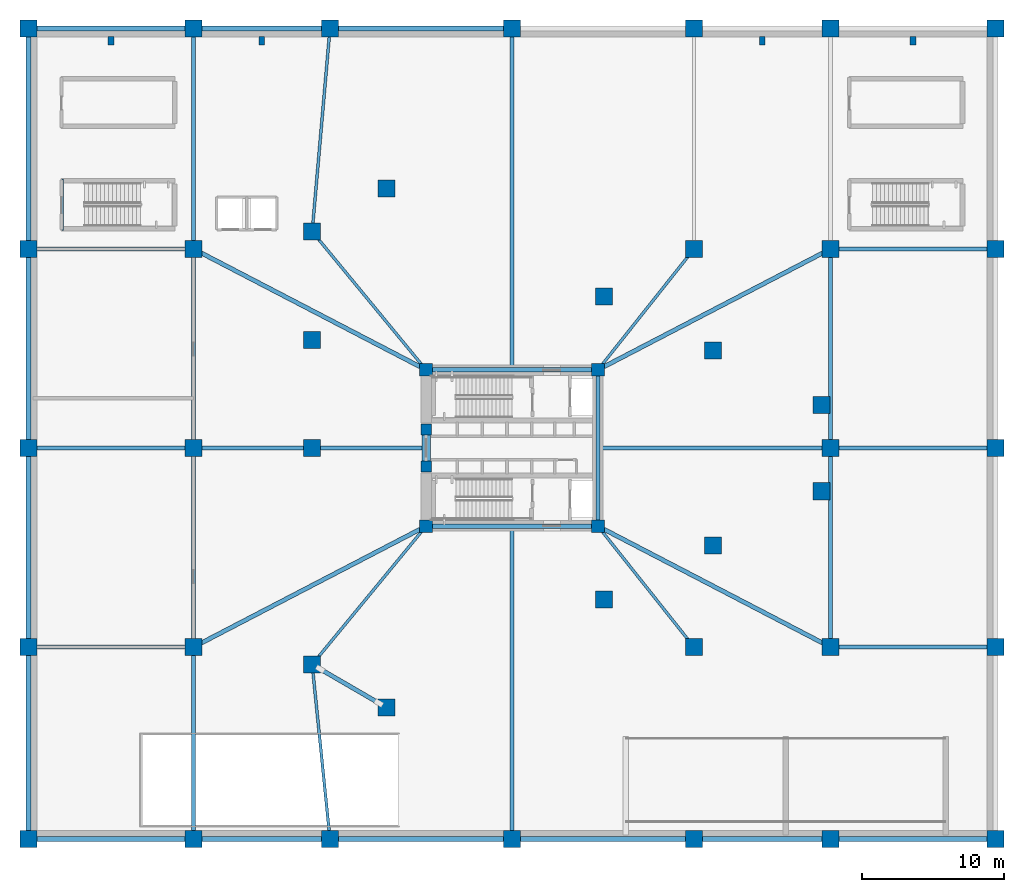
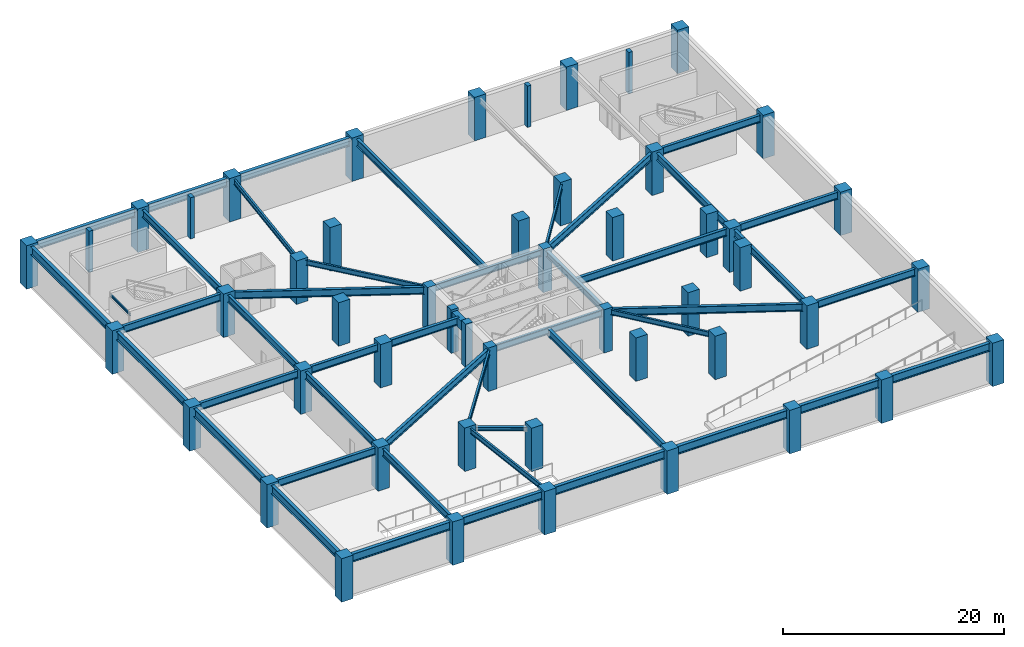
# One storey, part 1 of 13: 50 columns, 44 beams, 1 member.
"""IFC4 building model written with IfcOpenShell, lengths in metres."""

import ifcopenshell
import ifcopenshell.guid

model = None  # the IFC model being written
_history = None  # IfcOwnerHistory: only IFC2X3 demands one
_inside = {}  # id of a spatial element -> (the spatial element, [elements in it])
_under = {}  # id of a project, library or spatial element -> (it, [spatial elements below it])
_declared = {}  # id of a project -> (the project, [libraries it declares])
_typed = {}  # id of a type object -> (the type object, [elements of that type])
_made_of = {}  # id of a material, layer set ... -> (it, [elements and type objects made of it])


def new_model(schema):
    """Start an empty IFC model of exactly this schema.

    Asked for "IFC4X3", IfcOpenShell would pick the latest addendum, in which some entities
    have other attributes; the version numbers below select the first issue.
    IFC2X3 requires an IfcOwnerHistory on every rooted entity: one is made here for all.
    """
    global model, _history
    if schema == "IFC4X3":
        model = ifcopenshell.file(schema_version=(4, 3, 0, 0))
    else:
        model = ifcopenshell.file(schema=schema)
    _inside.clear()
    _under.clear()
    _declared.clear()
    _typed.clear()
    _made_of.clear()
    _history = None
    if model.schema == "IFC2X3":
        org = make("IfcOrganization", Name="unknown")
        user = make(
            "IfcPersonAndOrganization",
            ThePerson=make("IfcPerson", FamilyName="unknown"),
            TheOrganization=org,
        )
        app = make(
            "IfcApplication",
            ApplicationDeveloper=org,
            Version="unknown",
            ApplicationFullName="unknown",
            ApplicationIdentifier="unknown",
        )
        _history = make(
            "IfcOwnerHistory",
            OwningUser=user,
            OwningApplication=app,
            ChangeAction="ADDED",
            CreationDate=0,
        )
    return model


def make(cls, **values):
    """One entity of the class cls with the attributes given. An attribute that is None is left unset."""
    return model.create_entity(
        cls, **{name: value for name, value in values.items() if value is not None}
    )


def rooted(cls, **values):
    """An entity with a GlobalId (a new one), such as an element, a storey or a relation."""
    return make(cls, GlobalId=ifcopenshell.guid.new(), OwnerHistory=_history, **values)


def si_unit(unit_type, name, prefix=None):
    """IfcSIUnit, for example si_unit("LENGTHUNIT", "METRE", prefix="MILLI")."""
    return make("IfcSIUnit", UnitType=unit_type, Prefix=prefix, Name=name)


def assignment(units):
    """IfcUnitAssignment: the units of a project."""
    return None if units is None else make("IfcUnitAssignment", Units=units)


def point(xyz):
    """IfcCartesianPoint."""
    return None if xyz is None else make("IfcCartesianPoint", Coordinates=xyz)


def direction(xyz):
    """IfcDirection."""
    return None if xyz is None else make("IfcDirection", DirectionRatios=xyz)


def frame(location, z_axis=None, x_axis=None):
    """IfcAxis2Placement3D, a coordinate frame: its origin and axes. An axis left out is left unset."""
    return make(
        "IfcAxis2Placement3D",
        Location=point(location),
        Axis=direction(z_axis),
        RefDirection=direction(x_axis),
    )


def frame_2d(location, x_axis=None):
    """IfcAxis2Placement2D, a coordinate frame in the plane: its origin and x axis."""
    return make(
        "IfcAxis2Placement2D", Location=point(location), RefDirection=direction(x_axis)
    )


def origin():
    """The frame at (0, 0, 0) with its axes left unset."""
    return frame((0.0, 0.0, 0.0))


def origin_2d():
    """The frame at (0, 0) in the plane with its x axis left unset."""
    return frame_2d((0.0, 0.0))


def place(relative_to, where):
    """IfcLocalPlacement: puts the frame where relative to a parent placement (None: the world)."""
    return make(
        "IfcLocalPlacement", PlacementRelTo=relative_to, RelativePlacement=where
    )


def context(
    kind, dimensions, precision=None, world=None, true_north=None, identifier=None
):
    """IfcGeometricRepresentationContext, for example the 3D "Model" context."""
    return make(
        "IfcGeometricRepresentationContext",
        ContextIdentifier=identifier,
        ContextType=kind,
        CoordinateSpaceDimension=dimensions,
        Precision=precision,
        WorldCoordinateSystem=world,
        TrueNorth=true_north,
    )


def subcontext(parent, identifier, kind, view, scale=None):
    """IfcGeometricRepresentationSubContext, for example "Body" below "Model"."""
    return make(
        "IfcGeometricRepresentationSubContext",
        ContextIdentifier=identifier,
        ContextType=kind,
        ParentContext=parent,
        TargetScale=scale,
        TargetView=view,
    )


def project(units=None, contexts=None):
    """IfcProject with its units and contexts."""
    return rooted(
        "IfcProject",
        Name="project",
        RepresentationContexts=contexts,
        UnitsInContext=assignment(units),
    )


def spatial(cls, under=None, at=None, **own):
    """A site, building, storey or space (cls), placed at a placement, below another one or the project."""
    s = rooted(cls, ObjectPlacement=at, **own)
    if under is not None:
        _under.setdefault(under.id(), (under, []))[1].append(s)
    return s


def profile(cls, at=None, kind="AREA", **sizes):
    """A parametric profile (cls). Its sizes go by their IFC names, for example OverallWidth=200.0."""
    return make(cls, ProfileType=kind, Position=at, **sizes)


def rectangle(**sizes):
    """IfcRectangleProfileDef."""
    return profile("IfcRectangleProfileDef", **sizes)


def i_section(**sizes):
    """IfcIShapeProfileDef."""
    return profile("IfcIShapeProfileDef", **sizes)


def extrude(swept, where, along, depth):
    """IfcExtrudedAreaSolid: the profile swept, set in the frame where, extruded along a direction by depth."""
    return make(
        "IfcExtrudedAreaSolid",
        SweptArea=swept,
        Position=where,
        ExtrudedDirection=direction(along),
        Depth=depth,
    )


def shape(context_of_items, identifier, shape_type, items):
    """IfcShapeRepresentation: the items that make up one representation, for example the "Body"."""
    return make(
        "IfcShapeRepresentation",
        ContextOfItems=context_of_items,
        RepresentationIdentifier=identifier,
        RepresentationType=shape_type,
        Items=items,
    )


def source(mapping_origin, context_of_items, identifier, shape_type, items):
    """IfcRepresentationMap: a shape defined once, which mapped items show again and again."""
    return make(
        "IfcRepresentationMap",
        MappingOrigin=mapping_origin,
        MappedRepresentation=shape(context_of_items, identifier, shape_type, items),
    )


def transform(
    local_origin,
    x_axis=None,
    y_axis=None,
    z_axis=None,
    scale=None,
    scale2=None,
    scale3=None,
    uniform=True,
):
    """IfcCartesianTransformationOperator3D, or its non-uniform kind. x_axis, y_axis, z_axis: its Axis1, 2, 3."""
    if uniform:
        return make(
            "IfcCartesianTransformationOperator3D",
            Axis1=direction(x_axis),
            Axis2=direction(y_axis),
            LocalOrigin=point(local_origin),
            Scale=scale,
            Axis3=direction(z_axis),
        )
    return make(
        "IfcCartesianTransformationOperator3DnonUniform",
        Axis1=direction(x_axis),
        Axis2=direction(y_axis),
        LocalOrigin=point(local_origin),
        Scale=scale,
        Axis3=direction(z_axis),
        Scale2=scale2,
        Scale3=scale3,
    )


def mapped(mapping_source, mapping_target):
    """IfcMappedItem: shows the shape of a source again, moved by a transform."""
    return make(
        "IfcMappedItem", MappingSource=mapping_source, MappingTarget=mapping_target
    )


def material(Name=None, Category=None):
    """IfcMaterial."""
    return make("IfcMaterial", Name=Name, Category=Category)


def material_profile(
    of_material, cross_section, Name=None, Category=None, Priority=None
):
    """IfcMaterialProfile: a cross section and its material."""
    return make(
        "IfcMaterialProfile",
        Name=Name,
        Material=of_material,
        Profile=cross_section,
        Priority=Priority,
        Category=Category,
    )


def profile_set(profiles, Name=None, composite=None):
    """IfcMaterialProfileSet."""
    return make(
        "IfcMaterialProfileSet",
        Name=Name,
        MaterialProfiles=profiles,
        CompositeProfile=composite,
    )


def made_of(thing, what):
    """Note that an element or type object is made of a material, layer set ...; save() writes the relation."""
    if what is not None:
        _made_of.setdefault(what.id(), (what, []))[1].append(thing)
    return thing


def type_object(cls, material=None, **own):
    """A type object (cls), such as IfcWallType, which elements share."""
    return made_of(rooted(cls, **own), material)


def element(
    cls,
    number,
    at=None,
    inside=None,
    cuts=None,
    type_object=None,
    material=None,
    context=None,
    identifier="Body",
    shape_type=None,
    held_by="IfcProductDefinitionShape",
    body=None,
    shapes=None,
    **own,
):
    """One element of the class cls, such as IfcWall. Its Tag is "e" and its number.

    at: its placement. inside: the storey or other place that contains it. cuts: it is an
    opening in that element (IfcRelVoidsElement). A single representation is given by context,
    identifier, shape_type and body (its items); several are given by shapes. held_by: the class
    of the entity that holds the representations. save() writes the other relations.
    """
    e = rooted(cls, Tag="e%d" % number, ObjectPlacement=at, **own)
    if body is not None:
        shapes = [shape(context, identifier, shape_type, body)]
    if shapes is not None:
        e.Representation = make(held_by, Representations=shapes)
    if inside is not None:
        _inside.setdefault(inside.id(), (inside, []))[1].append(e)
    if cuts is not None:
        rooted(
            "IfcRelVoidsElement", RelatingBuildingElement=cuts, RelatedOpeningElement=e
        )
    if type_object is not None:
        _typed.setdefault(type_object.id(), (type_object, []))[1].append(e)
    return made_of(e, material)


def aggregate(whole, parts):
    """IfcRelAggregates: a whole, such as a stair, and the parts it consists of."""
    return rooted("IfcRelAggregates", RelatingObject=whole, RelatedObjects=parts)


def save(model, path):
    """Write the relations noted so far, then the file.

    IfcRelAggregates (storeys below a building ...), IfcRelContainedInSpatialStructure (elements
    in a storey), IfcRelDefinesByType, IfcRelAssociatesMaterial and IfcRelDeclares: one each for
    every whole, place, type object, material and project.
    """
    for whole, parts in _under.values():
        aggregate(whole, parts)
    for where, things in _inside.values():
        rooted(
            "IfcRelContainedInSpatialStructure",
            RelatedElements=things,
            RelatingStructure=where,
        )
    for kind, things in _typed.values():
        rooted("IfcRelDefinesByType", RelatedObjects=things, RelatingType=kind)
    for what, things in _made_of.values():
        rooted("IfcRelAssociatesMaterial", RelatedObjects=things, RelatingMaterial=what)
    for by, libraries in _declared.values():
        rooted("IfcRelDeclares", RelatingContext=by, RelatedDefinitions=libraries)
    model.write(path)


model = new_model("IFC4")

# Units and contexts
model_context = context("Model", 3, precision=1e-05, world=origin(), true_north=direction((0.0, 1.0)))
body_context = subcontext(model_context, "Body", "Model", "MODEL_VIEW")
ifc_project = project(units=[si_unit("LENGTHUNIT", "METRE"), si_unit("AREAUNIT", "SQUARE_METRE"), si_unit("VOLUMEUNIT", "CUBIC_METRE"), si_unit("PLANEANGLEUNIT", "RADIAN"), si_unit("MASSUNIT", "GRAM", prefix="KILO")], contexts=[model_context])

# Site, building, storey
site_placement = place(None, origin())
site = spatial("IfcSite", under=ifc_project, at=site_placement, CompositionType="ELEMENT")
building_placement = place(site_placement, origin())
building = spatial("IfcBuilding", under=site, at=building_placement, Name="Yunling Apex Tower", CompositionType="ELEMENT")
storey_placement = place(building_placement, frame((0.0, 0.0, -4.800048828125)))
storey = spatial("IfcBuildingStorey", under=building, at=storey_placement, Name="B01", CompositionType="ELEMENT", Elevation=-4.800048828125)

# Columns
ifc_material_1 = material(Name="Concrete C60", Category="concrete")
ifc_material_profile_1 = material_profile(ifc_material_1, rectangle(XDim=0.89990234375, YDim=0.89990234375, at=origin_2d()))
ifc_profile_set_1 = profile_set([ifc_material_profile_1], Name="Concrete C60")
column_type_1 = type_object("IfcColumnType", Name="PC-SRC-3", PredefinedType="COLUMN", material=ifc_profile_set_1)
shared_shape_1 = source(origin(), body_context, "Body", "SweptSolid", [
    extrude(rectangle(XDim=0.89990234375, YDim=0.89990234375, at=origin_2d()), origin(), (0.0, 0.0, 1.0), 4.800048828125),
])
for number, where, z_axis, x_axis, name in (
    (1, (-6.050048828125, -5.5, 0.0), (0.0, 0.0, 1.0), (1.0, 0.0, 0.0), "B01 Core Spine Column CC-SW"),
    (2, (6.050048828125, -5.5, 0.0), (0.0, 0.0, 1.0), (1.0, 0.0, 0.0), "B01 Core Spine Column CC-SE"),
    (3, (6.050048828125, 5.5, 0.0), (0.0, 0.0, 1.0), (1.0, 0.0, 0.0), "B01 Core Spine Column CC-NE"),
    (4, (-6.050048828125, 5.5, 0.0), (0.0, 0.0, 1.0), (1.0, 0.0, 0.0), "B01 Core Spine Column CC-NW"),
):
    element("IfcColumn", number, at=place(storey_placement, frame(where, z_axis=z_axis, x_axis=x_axis)), inside=storey, type_object=column_type_1, Name=name, PredefinedType="COLUMN", context=body_context, shape_type="MappedRepresentation", body=[
        mapped(shared_shape_1, transform((0.0, 0.0, 0.0), scale=1.0)),
    ])
ifc_material_2 = material(Name="Concrete C50", Category="concrete")
ifc_material_profile_2 = material_profile(ifc_material_2, rectangle(XDim=0.75, YDim=0.75, at=origin_2d()))
ifc_profile_set_2 = profile_set([ifc_material_profile_2], Name="Concrete C50")
column_type_2 = type_object("IfcColumnType", Name="PC-SRC-4", PredefinedType="COLUMN", material=ifc_profile_set_2)
shared_shape_2 = source(origin(), body_context, "Body", "SweptSolid", [
    extrude(rectangle(XDim=0.75, YDim=0.75, at=origin_2d()), origin(), (0.0, 0.0, 1.0), 4.800048828125),
])
for number, where, z_axis, x_axis, name in (
    (5, (-6.02490234375, -1.300048828125, 0.0), (0.0, 0.0, 1.0), (1.0, 0.0, 0.0), "B01 Core West Portal Jamb Column S"),
    (6, (-6.02490234375, 1.300048828125, 0.0), (0.0, 0.0, 1.0), (1.0, 0.0, 0.0), "B01 Core West Portal Jamb Column N"),
):
    element("IfcColumn", number, at=place(storey_placement, frame(where, z_axis=z_axis, x_axis=x_axis)), inside=storey, type_object=column_type_2, Name=name, PredefinedType="COLUMN", context=body_context, shape_type="MappedRepresentation", body=[
        mapped(shared_shape_2, transform((0.0, 0.0, 0.0), scale=1.0)),
    ])
ifc_material_profile_3 = material_profile(ifc_material_1, rectangle(XDim=1.199951171875, YDim=1.199951171875, at=origin_2d()))
ifc_profile_set_3 = profile_set([ifc_material_profile_3], Name="Concrete C60")
column_type_3 = type_object("IfcColumnType", Name="PC-SRC-1", PredefinedType="COLUMN", material=ifc_profile_set_3)
shared_shape_3 = source(origin(), body_context, "Body", "SweptSolid", [
    extrude(rectangle(XDim=1.199951171875, YDim=1.199951171875, at=origin_2d()), origin(), (0.0, 0.0, 1.0), 4.800048828125),
])
for number, where, z_axis, x_axis, name in (
    (7, (-34.0, -27.5, 0.0), (0.0, 0.0, 1.0), (1.0, 0.0, 0.0), "B01 Podium Mega-Column PC-01"),
    (8, (-22.39990234375, -27.5, 0.0), (0.0, 0.0, 1.0), (1.0, 0.0, 0.0), "B01 Podium Mega-Column PC-02"),
    (9, (-12.800048828125, -27.5, 0.0), (0.0, 0.0, 1.0), (1.0, 0.0, 0.0), "B01 Podium Mega-Column PC-03"),
    (10, (0.0, -27.5, 0.0), (0.0, 0.0, 1.0), (1.0, 0.0, 0.0), "B01 Podium Mega-Column PC-04"),
    (11, (12.800048828125, -27.5, 0.0), (0.0, 0.0, 1.0), (1.0, 0.0, 0.0), "B01 Podium Mega-Column PC-05"),
    (12, (22.39990234375, -27.5, 0.0), (0.0, 0.0, 1.0), (1.0, 0.0, 0.0), "B01 Podium Mega-Column PC-06"),
    (13, (34.0, -27.5, 0.0), (0.0, 0.0, 1.0), (1.0, 0.0, 0.0), "B01 Podium Mega-Column PC-07"),
    (14, (-34.0, -14.0, 0.0), (0.0, 0.0, 1.0), (1.0, 0.0, 0.0), "B01 Podium Mega-Column PC-08"),
    (15, (-22.39990234375, -14.0, 0.0), (0.0, 0.0, 1.0), (1.0, 0.0, 0.0), "B01 Podium Mega-Column PC-09"),
    (16, (12.800048828125, -14.0, 0.0), (0.0, 0.0, 1.0), (1.0, 0.0, 0.0), "B01 Podium Mega-Column PC-11"),
    (17, (22.39990234375, -14.0, 0.0), (0.0, 0.0, 1.0), (1.0, 0.0, 0.0), "B01 Podium Mega-Column PC-12"),
    (18, (34.0, -14.0, 0.0), (0.0, 0.0, 1.0), (1.0, 0.0, 0.0), "B01 Podium Mega-Column PC-13"),
    (19, (-34.0, 0.0, 0.0), (0.0, 0.0, 1.0), (1.0, 0.0, 0.0), "B01 Podium Mega-Column PC-14"),
    (20, (-22.39990234375, 0.0, 0.0), (0.0, 0.0, 1.0), (1.0, 0.0, 0.0), "B01 Podium Mega-Column PC-15"),
    (21, (22.39990234375, 0.0, 0.0), (0.0, 0.0, 1.0), (1.0, 0.0, 0.0), "B01 Podium Mega-Column PC-16"),
    (22, (34.0, 0.0, 0.0), (0.0, 0.0, 1.0), (1.0, 0.0, 0.0), "B01 Podium Mega-Column PC-17"),
    (23, (-34.0, 14.0, 0.0), (0.0, 0.0, 1.0), (1.0, 0.0, 0.0), "B01 Podium Mega-Column PC-18"),
    (24, (-22.39990234375, 14.0, 0.0), (0.0, 0.0, 1.0), (1.0, 0.0, 0.0), "B01 Podium Mega-Column PC-19"),
    (25, (12.800048828125, 14.0, 0.0), (0.0, 0.0, 1.0), (1.0, 0.0, 0.0), "B01 Podium Mega-Column PC-21"),
    (26, (22.39990234375, 14.0, 0.0), (0.0, 0.0, 1.0), (1.0, 0.0, 0.0), "B01 Podium Mega-Column PC-22"),
    (27, (34.0, 14.0, 0.0), (0.0, 0.0, 1.0), (1.0, 0.0, 0.0), "B01 Podium Mega-Column PC-23"),
    (28, (-34.0, 29.5, 0.0), (0.0, 0.0, 1.0), (1.0, 0.0, 0.0), "B01 Podium Mega-Column PC-24"),
    (29, (-22.39990234375, 29.5, 0.0), (0.0, 0.0, 1.0), (1.0, 0.0, 0.0), "B01 Podium Mega-Column PC-25"),
    (30, (-12.800048828125, 29.5, 0.0), (0.0, 0.0, 1.0), (1.0, 0.0, 0.0), "B01 Podium Mega-Column PC-26"),
    (31, (0.0, 29.5, 0.0), (0.0, 0.0, 1.0), (1.0, 0.0, 0.0), "B01 Podium Mega-Column PC-27"),
    (32, (12.800048828125, 29.5, 0.0), (0.0, 0.0, 1.0), (1.0, 0.0, 0.0), "B01 Podium Mega-Column PC-28"),
    (33, (22.39990234375, 29.5, 0.0), (0.0, 0.0, 1.0), (1.0, 0.0, 0.0), "B01 Podium Mega-Column PC-29"),
    (34, (34.0, 29.5, 0.0), (0.0, 0.0, 1.0), (1.0, 0.0, 0.0), "B01 Podium Mega-Column PC-30"),
    (35, (-8.8115234375, -18.2578125, 0.0), (0.0, 0.0, 1.0), (1.0, 0.0, 0.0), "B01 Podium Mega-Column MP-B1-01"),
    (36, (6.477294921875, -10.648193359375, 0.0), (0.0, 0.0, 1.0), (1.0, 0.0, 0.0), "B01 Podium Mega-Column MP-B1-02"),
    (37, (14.121826171875, -6.843505859375, 0.0), (0.0, 0.0, 1.0), (1.0, 0.0, 0.0), "B01 Podium Mega-Column MP-B1-03"),
    (38, (21.76611328125, -3.038818359375, 0.0), (0.0, 0.0, 1.0), (1.0, 0.0, 0.0), "B01 Podium Mega-Column MP-B1-04"),
    (39, (21.76611328125, 3.038818359375, 0.0), (0.0, 0.0, 1.0), (1.0, 0.0, 0.0), "B01 Podium Mega-Column MP-B1-05"),
    (40, (14.121826171875, 6.843505859375, 0.0), (0.0, 0.0, 1.0), (1.0, 0.0, 0.0), "B01 Podium Mega-Column MP-B1-06"),
    (41, (6.477294921875, 10.648193359375, 0.0), (0.0, 0.0, 1.0), (1.0, 0.0, 0.0), "B01 Podium Mega-Column MP-B1-07"),
    (42, (-8.8115234375, 18.2578125, 0.0), (0.0, 0.0, 1.0), (1.0, 0.0, 0.0), "B01 Podium Mega-Column MP-B1-08"),
    (43, (-14.052001953125, 15.218994140625, 0.0), (0.0, 0.0, 1.0), (1.0, 0.0, 0.0), "B01 Podium Mega-Column MP-B1-09"),
    (44, (-14.052001953125, 7.609619140625, 0.0), (0.0, 0.0, 1.0), (1.0, 0.0, 0.0), "B01 Podium Mega-Column MP-B1-10"),
    (45, (-14.052001953125, 0.0, 0.0), (0.0, 0.0, 1.0), (1.0, 0.0, 0.0), "B01 Podium Mega-Column MP-B1-11"),
    (46, (-14.052001953125, -15.218994140625, 0.0), (0.0, 0.0, 1.0), (1.0, 0.0, 0.0), "B01 Podium Mega-Column MP-B1-12"),
):
    element("IfcColumn", number, at=place(storey_placement, frame(where, z_axis=z_axis, x_axis=x_axis)), inside=storey, type_object=column_type_3, Name=name, PredefinedType="COLUMN", context=body_context, shape_type="MappedRepresentation", body=[
        mapped(shared_shape_3, transform((0.0, 0.0, 0.0), scale=1.0)),
    ])
ifc_material_profile_4 = material_profile(ifc_material_2, rectangle(XDim=0.39990234375, YDim=0.60009765625, at=origin_2d()))
ifc_profile_set_4 = profile_set([ifc_material_profile_4], Name="Concrete C50")
column_type_4 = type_object("IfcColumnType", Name="PL-PIL-1", PredefinedType="PILASTER", material=ifc_profile_set_4)
shared_shape_4 = source(origin(), body_context, "Body", "SweptSolid", [
    extrude(rectangle(XDim=0.39990234375, YDim=0.60009765625, at=origin_2d()), origin(), (0.0, 0.0, 1.0), 4.56005859375),
])
for number, where, z_axis, x_axis, name in (
    (47, (-28.199951171875, 28.64990234375, 0.0), (0.0, 0.0, 1.0), (1.0, 0.0, 0.0), "B01 Retaining Wall Pilaster 1"),
    (48, (-17.60009765625, 28.64990234375, 0.0), (0.0, 0.0, 1.0), (1.0, 0.0, 0.0), "B01 Retaining Wall Pilaster 2"),
    (49, (17.60009765625, 28.64990234375, 0.0), (0.0, 0.0, 1.0), (1.0, 0.0, 0.0), "B01 Retaining Wall Pilaster 3"),
    (50, (28.199951171875, 28.64990234375, 0.0), (0.0, 0.0, 1.0), (1.0, 0.0, 0.0), "B01 Retaining Wall Pilaster 4"),
):
    element("IfcColumn", number, at=place(storey_placement, frame(where, z_axis=z_axis, x_axis=x_axis)), inside=storey, type_object=column_type_4, Name=name, PredefinedType="PILASTER", context=body_context, shape_type="MappedRepresentation", body=[
        mapped(shared_shape_4, transform((0.0, 0.0, 0.0), scale=1.0)),
    ])

# Beams
ifc_material_profile_5 = material_profile(ifc_material_1, rectangle(XDim=0.60009765625, YDim=1.0, at=origin_2d()))
ifc_profile_set_5 = profile_set([ifc_material_profile_5], Name="Concrete C60")
beam_type_1 = type_object("IfcBeamType", Name="BC-CPL-1", PredefinedType="BEAM", material=ifc_profile_set_5)
shared_shape_5 = source(origin(), body_context, "Body", "SweptSolid", [
    extrude(rectangle(XDim=0.60009765625, YDim=1.0, at=origin_2d()), origin(), (0.0, 0.0, 1.0), 2.5),
])
beam_1_placement = place(storey_placement, frame((-6.02490234375, -1.25, 4.06005859375), z_axis=(0.0, 1.0, 0.0), x_axis=(-1.0, 0.0, 0.0)))
element("IfcBeam", 51, at=beam_1_placement, inside=storey, type_object=beam_type_1, Name="B01 Core West Portal Coupling Beam", PredefinedType="BEAM", context=body_context, shape_type="MappedRepresentation", body=[
    mapped(shared_shape_5, transform((0.0, 0.0, 0.0), scale=1.0)),
])
ifc_material_3 = material(Name="Steel Q355B", Category="steel")
ifc_material_profile_6 = material_profile(ifc_material_3, i_section(OverallWidth=0.300048828125, OverallDepth=0.699951171875, WebThickness=0.012939453125, FlangeThickness=0.02392578125, FilletRadius=0.02587890625, at=origin_2d()))
ifc_profile_set_6 = profile_set([ifc_material_profile_6], Name="Steel Q355B")
beam_type_2 = type_object("IfcBeamType", Name="BG-PRI-3", PredefinedType="USERDEFINED", material=ifc_profile_set_6)
shared_shape_6 = source(origin(), body_context, "Body", "SweptSolid", [
    extrude(i_section(OverallWidth=0.300048828125, OverallDepth=0.699951171875, WebThickness=0.012939453125, FlangeThickness=0.02392578125, FilletRadius=0.02587890625, at=origin_2d()), origin(), (0.0, 0.0, 1.0), 11.7998046875),
])
for number, where, z_axis, x_axis, name in (
    (52, (-5.89990234375, -5.5, 4.2099609375), (1.0, 0.0, 0.0), (0.0, 1.0, 0.0), "B01 Core Ring Tie Beam 1"),
    (53, (5.89990234375, 5.5, 4.2099609375), (-1.0, 0.0, 0.0), (0.0, -1.0, 0.0), "B01 Core Ring Tie Beam 3"),
):
    element("IfcBeam", number, at=place(storey_placement, frame(where, z_axis=z_axis, x_axis=x_axis)), inside=storey, type_object=beam_type_2, Name=name, ObjectType="GIRDER", PredefinedType="USERDEFINED", context=body_context, shape_type="MappedRepresentation", body=[
        mapped(shared_shape_6, transform((0.0, 0.0, 0.0), scale=1.0)),
    ])
shared_shape_7 = source(origin(), body_context, "Body", "SweptSolid", [
    extrude(i_section(OverallWidth=0.300048828125, OverallDepth=0.699951171875, WebThickness=0.012939453125, FlangeThickness=0.02392578125, FilletRadius=0.02587890625, at=origin_2d()), origin(), (0.0, 0.0, 1.0), 10.7001953125),
])
beam_2_placement = place(storey_placement, frame((6.050048828125, -5.35009765625, 4.2099609375), z_axis=(0.0, 1.0, 0.0), x_axis=(-1.0, 0.0, 0.0)))
element("IfcBeam", 54, at=beam_2_placement, inside=storey, type_object=beam_type_2, Name="B01 Core Ring Tie Beam 2", ObjectType="GIRDER", PredefinedType="USERDEFINED", context=body_context, shape_type="MappedRepresentation", body=[
    mapped(shared_shape_7, transform((0.0, 0.0, 0.0), scale=1.0)),
])
ifc_material_profile_7 = material_profile(ifc_material_3, i_section(OverallWidth=0.35009765625, OverallDepth=0.89990234375, WebThickness=0.01806640625, FlangeThickness=0.028076171875, FilletRadius=0.02392578125, at=origin_2d()))
ifc_profile_set_7 = profile_set([ifc_material_profile_7], Name="Steel Q355B")
beam_type_3 = type_object("IfcBeamType", Name="BG-PRI-1", PredefinedType="USERDEFINED", material=ifc_profile_set_7)
shared_shape_8 = source(origin(), body_context, "Body", "SweptSolid", [
    extrude(i_section(OverallWidth=0.35009765625, OverallDepth=0.89990234375, WebThickness=0.01806640625, FlangeThickness=0.028076171875, FilletRadius=0.02392578125, at=origin_2d()), origin(), (0.0, 0.0, 1.0), 11.52001953125),
])
for number, where, z_axis, x_axis, name in (
    (55, (-33.9599609375, -27.5, 4.110107421875), (1.0, 0.0, 0.0), (0.0, 1.0, 0.0), "B01 Podium Edge Girder 1"),
    (56, (22.43994140625, -27.5, 4.110107421875), (1.0, 0.0, 0.0), (0.0, 1.0, 0.0), "B01 Podium Edge Girder 6"),
    (57, (-33.9599609375, 29.5, 4.110107421875), (1.0, 0.0, 0.0), (0.0, 1.0, 0.0), "B01 Podium Edge Girder 7"),
):
    element("IfcBeam", number, at=place(storey_placement, frame(where, z_axis=z_axis, x_axis=x_axis)), inside=storey, type_object=beam_type_3, Name=name, ObjectType="GIRDER", PredefinedType="USERDEFINED", context=body_context, shape_type="MappedRepresentation", body=[
        mapped(shared_shape_8, transform((0.0, 0.0, 0.0), scale=1.0)),
    ])
shared_shape_9 = source(origin(), body_context, "Body", "SweptSolid", [
    extrude(i_section(OverallWidth=0.35009765625, OverallDepth=0.89990234375, WebThickness=0.01806640625, FlangeThickness=0.028076171875, FilletRadius=0.02392578125, at=origin_2d()), origin(), (0.0, 0.0, 1.0), 9.52001953125),
])
for number, where, z_axis, x_axis, name in (
    (58, (-22.360107421875, -27.5, 4.110107421875), (1.0, 0.0, 0.0), (0.0, 1.0, 0.0), "B01 Podium Edge Girder 2"),
    (59, (12.840087890625, -27.5, 4.110107421875), (1.0, 0.0, 0.0), (0.0, 1.0, 0.0), "B01 Podium Edge Girder 5"),
    (60, (-22.360107421875, 29.5, 4.110107421875), (1.0, 0.0, 0.0), (0.0, 1.0, 0.0), "B01 Podium Edge Girder 8"),
):
    element("IfcBeam", number, at=place(storey_placement, frame(where, z_axis=z_axis, x_axis=x_axis)), inside=storey, type_object=beam_type_3, Name=name, ObjectType="GIRDER", PredefinedType="USERDEFINED", context=body_context, shape_type="MappedRepresentation", body=[
        mapped(shared_shape_9, transform((0.0, 0.0, 0.0), scale=1.0)),
    ])
shared_shape_10 = source(origin(), body_context, "Body", "SweptSolid", [
    extrude(i_section(OverallWidth=0.35009765625, OverallDepth=0.89990234375, WebThickness=0.01806640625, FlangeThickness=0.028076171875, FilletRadius=0.02392578125, at=origin_2d()), origin(), (0.0, 0.0, 1.0), 12.719970703125),
])
for number, where, z_axis, x_axis, name in (
    (61, (-12.760009765625, -27.5, 4.110107421875), (1.0, 0.0, 0.0), (0.0, 1.0, 0.0), "B01 Podium Edge Girder 3"),
    (62, (0.0400390625, -27.5, 4.110107421875), (1.0, 0.0, 0.0), (0.0, 1.0, 0.0), "B01 Podium Edge Girder 4"),
    (63, (-12.760009765625, 29.5, 4.110107421875), (1.0, 0.0, 0.0), (0.0, 1.0, 0.0), "B01 Podium Edge Girder 9"),
):
    element("IfcBeam", number, at=place(storey_placement, frame(where, z_axis=z_axis, x_axis=x_axis)), inside=storey, type_object=beam_type_3, Name=name, ObjectType="GIRDER", PredefinedType="USERDEFINED", context=body_context, shape_type="MappedRepresentation", body=[
        mapped(shared_shape_10, transform((0.0, 0.0, 0.0), scale=1.0)),
    ])
shared_shape_11 = source(origin(), body_context, "Body", "SweptSolid", [
    extrude(i_section(OverallWidth=0.35009765625, OverallDepth=0.89990234375, WebThickness=0.01806640625, FlangeThickness=0.028076171875, FilletRadius=0.02392578125, at=origin_2d()), origin(), (0.0, 0.0, 1.0), 13.419921875),
])
beam_3_placement = place(storey_placement, frame((-34.0, -27.4599609375, 4.110107421875), z_axis=(0.0, 1.0, 0.0), x_axis=(-1.0, 0.0, 0.0)))
element("IfcBeam", 64, at=beam_3_placement, inside=storey, type_object=beam_type_3, Name="B01 Podium Side Girder 13", ObjectType="GIRDER", PredefinedType="USERDEFINED", context=body_context, shape_type="MappedRepresentation", body=[
    mapped(shared_shape_11, transform((0.0, 0.0, 0.0), scale=1.0)),
])
shared_shape_12 = source(origin(), body_context, "Body", "SweptSolid", [
    extrude(i_section(OverallWidth=0.35009765625, OverallDepth=0.89990234375, WebThickness=0.01806640625, FlangeThickness=0.028076171875, FilletRadius=0.02392578125, at=origin_2d()), origin(), (0.0, 0.0, 1.0), 13.919921875),
])
for number, where, z_axis, x_axis, name in (
    (65, (-34.0, -13.9599609375, 4.110107421875), (0.0, 1.0, 0.0), (-1.0, 0.0, 0.0), "B01 Podium Side Girder 14"),
    (66, (-34.0, 0.0400390625, 4.110107421875), (0.0, 1.0, 0.0), (-1.0, 0.0, 0.0), "B01 Podium Side Girder 15"),
):
    element("IfcBeam", number, at=place(storey_placement, frame(where, z_axis=z_axis, x_axis=x_axis)), inside=storey, type_object=beam_type_3, Name=name, ObjectType="GIRDER", PredefinedType="USERDEFINED", context=body_context, shape_type="MappedRepresentation", body=[
        mapped(shared_shape_12, transform((0.0, 0.0, 0.0), scale=1.0)),
    ])
shared_shape_13 = source(origin(), body_context, "Body", "SweptSolid", [
    extrude(i_section(OverallWidth=0.35009765625, OverallDepth=0.89990234375, WebThickness=0.01806640625, FlangeThickness=0.028076171875, FilletRadius=0.02392578125, at=origin_2d()), origin(), (0.0, 0.0, 1.0), 15.419921875),
])
beam_4_placement = place(storey_placement, frame((-34.0, 14.0400390625, 4.110107421875), z_axis=(0.0, 1.0, 0.0), x_axis=(-1.0, 0.0, 0.0)))
element("IfcBeam", 67, at=beam_4_placement, inside=storey, type_object=beam_type_3, Name="B01 Podium Side Girder 16", ObjectType="GIRDER", PredefinedType="USERDEFINED", context=body_context, shape_type="MappedRepresentation", body=[
    mapped(shared_shape_13, transform((0.0, 0.0, 0.0), scale=1.0)),
])
ifc_material_profile_8 = material_profile(ifc_material_3, i_section(OverallWidth=0.300048828125, OverallDepth=0.800048828125, WebThickness=0.013916015625, FlangeThickness=0.02587890625, FilletRadius=0.028076171875, at=origin_2d()))
ifc_profile_set_8 = profile_set([ifc_material_profile_8], Name="Steel Q355B")
beam_type_4 = type_object("IfcBeamType", Name="BG-PRI-2", PredefinedType="USERDEFINED", material=ifc_profile_set_8)
shared_shape_14 = source(origin(), body_context, "Body", "SweptSolid", [
    extrude(i_section(OverallWidth=0.300048828125, OverallDepth=0.800048828125, WebThickness=0.013916015625, FlangeThickness=0.02587890625, FilletRadius=0.028076171875, at=origin_2d()), origin(), (0.0, 0.0, 1.0), 11.52001953125),
])
for number, where, z_axis, x_axis, name in (
    (68, (-33.9599609375, 14.0, 4.16015625), (1.0, 0.0, 0.0), (0.0, 1.0, 0.0), "B01 Podium Primary Girder 1"),
    (69, (22.43994140625, 14.0, 4.16015625), (1.0, 0.0, 0.0), (0.0, 1.0, 0.0), "B01 Podium Primary Girder 4"),
    (70, (-33.9599609375, -14.0, 4.16015625), (1.0, 0.0, 0.0), (0.0, 1.0, 0.0), "B01 Podium Primary Girder 5"),
    (71, (22.43994140625, -14.0, 4.16015625), (1.0, 0.0, 0.0), (0.0, 1.0, 0.0), "B01 Podium Primary Girder 8"),
    (72, (-33.9599609375, 0.0, 4.16015625), (1.0, 0.0, 0.0), (0.0, 1.0, 0.0), "B01 Podium Primary Girder 9"),
    (73, (22.43994140625, 0.0, 4.16015625), (1.0, 0.0, 0.0), (0.0, 1.0, 0.0), "B01 Podium Primary Girder 12"),
):
    element("IfcBeam", number, at=place(storey_placement, frame(where, z_axis=z_axis, x_axis=x_axis)), inside=storey, type_object=beam_type_4, Name=name, ObjectType="GIRDER", PredefinedType="USERDEFINED", context=body_context, shape_type="MappedRepresentation", body=[
        mapped(shared_shape_14, transform((0.0, 0.0, 0.0), scale=1.0)),
    ])
shared_shape_15 = source(origin(), body_context, "Body", "SweptSolid", [
    extrude(i_section(OverallWidth=0.300048828125, OverallDepth=0.800048828125, WebThickness=0.013916015625, FlangeThickness=0.02587890625, FilletRadius=0.028076171875, at=origin_2d()), origin(), (0.0, 0.0, 1.0), 18.347412109375),
])
for number, where, z_axis, x_axis, name in (
    (74, (-22.364501953125, 13.9814453125, 4.16015625), (0.887266251523, -0.461257627481, 0.0), (0.461257627481, 0.887266251523, 0.0), "B01 Podium Primary Girder 2"),
    (75, (6.08544921875, 5.5185546875, 4.16015625), (0.887266251523, 0.461257627481, 0.0), (-0.461257627481, 0.887266251523, 0.0), "B01 Podium Primary Girder 3"),
    (76, (-22.364501953125, -13.9814453125, 4.16015625), (0.887266251523, 0.461257627481, 0.0), (-0.461257627481, 0.887266251523, 0.0), "B01 Podium Primary Girder 6"),
    (77, (6.08544921875, -5.5185546875, 4.16015625), (0.887266251523, -0.461257627481, 0.0), (0.461257627481, 0.887266251523, 0.0), "B01 Podium Primary Girder 7"),
):
    element("IfcBeam", number, at=place(storey_placement, frame(where, z_axis=z_axis, x_axis=x_axis)), inside=storey, type_object=beam_type_4, Name=name, ObjectType="GIRDER", PredefinedType="USERDEFINED", context=body_context, shape_type="MappedRepresentation", body=[
        mapped(shared_shape_15, transform((0.0, 0.0, 0.0), scale=1.0)),
    ])
shared_shape_16 = source(origin(), body_context, "Body", "SweptSolid", [
    extrude(i_section(OverallWidth=0.300048828125, OverallDepth=0.800048828125, WebThickness=0.013916015625, FlangeThickness=0.02587890625, FilletRadius=0.028076171875, at=origin_2d()), origin(), (0.0, 0.0, 1.0), 16.22021484375),
])
for number, where, z_axis, x_axis, name in (
    (78, (-22.360107421875, 0.0, 4.16015625), (1.0, 0.0, 0.0), (0.0, 1.0, 0.0), "B01 Podium Primary Girder 10"),
    (79, (6.139892578125, 0.0, 4.16015625), (1.0, 0.0, 0.0), (0.0, 1.0, 0.0), "B01 Podium Primary Girder 11"),
):
    element("IfcBeam", number, at=place(storey_placement, frame(where, z_axis=z_axis, x_axis=x_axis)), inside=storey, type_object=beam_type_4, Name=name, ObjectType="GIRDER", PredefinedType="USERDEFINED", context=body_context, shape_type="MappedRepresentation", body=[
        mapped(shared_shape_16, transform((0.0, 0.0, 0.0), scale=1.0)),
    ])
shared_shape_17 = source(origin(), body_context, "Body", "SweptSolid", [
    extrude(i_section(OverallWidth=0.300048828125, OverallDepth=0.800048828125, WebThickness=0.013916015625, FlangeThickness=0.02587890625, FilletRadius=0.028076171875, at=origin_2d()), origin(), (0.0, 0.0, 1.0), 15.419921875),
])
beam_5_placement = place(storey_placement, frame((-22.39990234375, 29.4599609375, 4.16015625), z_axis=(0.0, -1.0, 0.0), x_axis=(1.0, 0.0, 0.0)))
element("IfcBeam", 80, at=beam_5_placement, inside=storey, type_object=beam_type_4, Name="B01 Podium Primary Girder 13", ObjectType="GIRDER", PredefinedType="USERDEFINED", context=body_context, shape_type="MappedRepresentation", body=[
    mapped(shared_shape_17, transform((0.0, 0.0, 0.0), scale=1.0)),
])
shared_shape_18 = source(origin(), body_context, "Body", "SweptSolid", [
    extrude(i_section(OverallWidth=0.300048828125, OverallDepth=0.800048828125, WebThickness=0.013916015625, FlangeThickness=0.02587890625, FilletRadius=0.028076171875, at=origin_2d()), origin(), (0.0, 0.0, 1.0), 13.919921875),
])
for number, where, z_axis, x_axis, name in (
    (81, (-22.39990234375, 13.9599609375, 4.16015625), (0.0, -1.0, 0.0), (1.0, 0.0, 0.0), "B01 Podium Primary Girder 14"),
    (82, (-22.39990234375, -0.0400390625, 4.16015625), (0.0, -1.0, 0.0), (1.0, 0.0, 0.0), "B01 Podium Primary Girder 15"),
    (83, (22.39990234375, 13.9599609375, 4.16015625), (0.0, -1.0, 0.0), (1.0, 0.0, 0.0), "B01 Podium Primary Girder 18"),
    (84, (22.39990234375, -0.0400390625, 4.16015625), (0.0, -1.0, 0.0), (1.0, 0.0, 0.0), "B01 Podium Primary Girder 19"),
):
    element("IfcBeam", number, at=place(storey_placement, frame(where, z_axis=z_axis, x_axis=x_axis)), inside=storey, type_object=beam_type_4, Name=name, ObjectType="GIRDER", PredefinedType="USERDEFINED", context=body_context, shape_type="MappedRepresentation", body=[
        mapped(shared_shape_18, transform((0.0, 0.0, 0.0), scale=1.0)),
    ])
shared_shape_19 = source(origin(), body_context, "Body", "SweptSolid", [
    extrude(i_section(OverallWidth=0.300048828125, OverallDepth=0.800048828125, WebThickness=0.013916015625, FlangeThickness=0.02587890625, FilletRadius=0.028076171875, at=origin_2d()), origin(), (0.0, 0.0, 1.0), 13.419921875),
])
beam_6_placement = place(storey_placement, frame((-22.39990234375, -14.0400390625, 4.16015625), z_axis=(0.0, -1.0, 0.0), x_axis=(1.0, 0.0, 0.0)))
element("IfcBeam", 85, at=beam_6_placement, inside=storey, type_object=beam_type_4, Name="B01 Podium Primary Girder 16", ObjectType="GIRDER", PredefinedType="USERDEFINED", context=body_context, shape_type="MappedRepresentation", body=[
    mapped(shared_shape_19, transform((0.0, 0.0, 0.0), scale=1.0)),
])
shared_shape_20 = source(origin(), body_context, "Body", "SweptSolid", [
    extrude(i_section(OverallWidth=0.300048828125, OverallDepth=0.800048828125, WebThickness=0.013916015625, FlangeThickness=0.02587890625, FilletRadius=0.028076171875, at=origin_2d()), origin(), (0.0, 0.0, 1.0), 23.869873046875),
])
beam_7_placement = place(storey_placement, frame((0.0, 29.4599609375, 4.16015625), z_axis=(0.0, -1.0, 0.0), x_axis=(1.0, 0.0, 0.0)))
element("IfcBeam", 86, at=beam_7_placement, inside=storey, type_object=beam_type_4, Name="B01 Podium Primary Girder 21", ObjectType="GIRDER", PredefinedType="USERDEFINED", context=body_context, shape_type="MappedRepresentation", body=[
    mapped(shared_shape_20, transform((0.0, 0.0, 0.0), scale=1.0)),
])
shared_shape_21 = source(origin(), body_context, "Body", "SweptSolid", [
    extrude(i_section(OverallWidth=0.300048828125, OverallDepth=0.800048828125, WebThickness=0.013916015625, FlangeThickness=0.02587890625, FilletRadius=0.028076171875, at=origin_2d()), origin(), (0.0, 0.0, 1.0), 21.869873046875),
])
beam_8_placement = place(storey_placement, frame((0.0, -27.4599609375, 4.16015625), z_axis=(0.0, 1.0, 0.0), x_axis=(-1.0, 0.0, 0.0)))
element("IfcBeam", 87, at=beam_8_placement, inside=storey, type_object=beam_type_4, Name="B01 Podium Primary Girder 22", ObjectType="GIRDER", PredefinedType="USERDEFINED", context=body_context, shape_type="MappedRepresentation", body=[
    mapped(shared_shape_21, transform((0.0, 0.0, 0.0), scale=1.0)),
])
ifc_material_profile_9 = material_profile(ifc_material_3, i_section(OverallWidth=0.199951171875, OverallDepth=0.550048828125, WebThickness=0.010009765625, FlangeThickness=0.01611328125, FilletRadius=0.02001953125, at=origin_2d()))
ifc_profile_set_9 = profile_set([ifc_material_profile_9], Name="Steel Q355B")
beam_type_5 = type_object("IfcBeamType", Name="BS-SEC-1", PredefinedType="BEAM", material=ifc_profile_set_9)
shared_shape_22 = source(origin(), body_context, "Body", "SweptSolid", [
    extrude(i_section(OverallWidth=0.199951171875, OverallDepth=0.550048828125, WebThickness=0.010009765625, FlangeThickness=0.01611328125, FilletRadius=0.02001953125, at=origin_2d()), origin(), (0.0, 0.0, 1.0), 14.255859375),
])
beam_9_placement = place(storey_placement, frame((-12.803466796875, 29.460205078125, 4.28515625), z_axis=(-0.087340515192, -0.99617851533, 0.0), x_axis=(0.99617851533, -0.087340515192, 0.0)))
element("IfcBeam", 88, at=beam_9_placement, inside=storey, type_object=beam_type_5, Name="B01 Podium Secondary Beam 1", PredefinedType="BEAM", context=body_context, shape_type="MappedRepresentation", body=[
    mapped(shared_shape_22, transform((0.0, 0.0, 0.0), scale=1.0)),
])
shared_shape_23 = source(origin(), body_context, "Body", "SweptSolid", [
    extrude(i_section(OverallWidth=0.199951171875, OverallDepth=0.550048828125, WebThickness=0.010009765625, FlangeThickness=0.01611328125, FilletRadius=0.02001953125, at=origin_2d()), origin(), (0.0, 0.0, 1.0), 12.509033203125),
])
for number, where, z_axis, x_axis, name in (
    (89, (-14.026611328125, 15.18798828125, 4.28515625), (0.635629262148, -0.771994456652, 0.0), (0.771994456652, 0.635629262148, 0.0), "B01 Podium Secondary Beam 2"),
    (90, (-14.026611328125, -15.18798828125, 4.28515625), (0.635629262148, 0.771994456652, 0.0), (-0.771994456652, 0.635629262148, 0.0), "B01 Podium Secondary Beam 6"),
):
    element("IfcBeam", number, at=place(storey_placement, frame(where, z_axis=z_axis, x_axis=x_axis)), inside=storey, type_object=beam_type_5, Name=name, PredefinedType="BEAM", context=body_context, shape_type="MappedRepresentation", body=[
        mapped(shared_shape_23, transform((0.0, 0.0, 0.0), scale=1.0)),
    ])
shared_shape_24 = source(origin(), body_context, "Body", "SweptSolid", [
    extrude(i_section(OverallWidth=0.199951171875, OverallDepth=0.550048828125, WebThickness=0.010009765625, FlangeThickness=0.01611328125, FilletRadius=0.02001953125, at=origin_2d()), origin(), (0.0, 0.0, 1.0), 10.774169921875),
])
for number, where, z_axis, x_axis, name in (
    (91, (12.775146484375, 13.96875, 4.28515625), (-0.621872334374, -0.783118637078, 0.0), (0.783118637078, -0.621872334374, 0.0), "B01 Podium Secondary Beam 4"),
    (92, (12.775146484375, -13.96875, 4.28515625), (-0.621872334374, 0.783118637078, 0.0), (-0.783118637078, -0.621872334374, 0.0), "B01 Podium Secondary Beam 8"),
):
    element("IfcBeam", number, at=place(storey_placement, frame(where, z_axis=z_axis, x_axis=x_axis)), inside=storey, type_object=beam_type_5, Name=name, PredefinedType="BEAM", context=body_context, shape_type="MappedRepresentation", body=[
        mapped(shared_shape_24, transform((0.0, 0.0, 0.0), scale=1.0)),
    ])
shared_shape_25 = source(origin(), body_context, "Body", "SweptSolid", [
    extrude(i_section(OverallWidth=0.199951171875, OverallDepth=0.550048828125, WebThickness=0.010009765625, FlangeThickness=0.01611328125, FilletRadius=0.02001953125, at=origin_2d()), origin(), (0.0, 0.0, 1.0), 12.2646484375),
])
beam_10_placement = place(storey_placement, frame((-12.80419921875, -27.460205078125, 4.28515625), z_axis=(-0.101401512652, 0.994845582607, 0.0), x_axis=(-0.994845582607, -0.101401512652, 0.0)))
element("IfcBeam", 93, at=beam_10_placement, inside=storey, type_object=beam_type_5, Name="B01 Podium Secondary Beam 5", PredefinedType="BEAM", context=body_context, shape_type="MappedRepresentation", body=[
    mapped(shared_shape_25, transform((0.0, 0.0, 0.0), scale=1.0)),
])
ifc_material_profile_10 = material_profile(ifc_material_3, i_section(OverallWidth=0.125, OverallDepth=0.25, WebThickness=0.006103515625, FlangeThickness=0.009033203125, FilletRadius=0.011962890625, at=origin_2d()))
ifc_profile_set_10 = profile_set([ifc_material_profile_10], Name="Steel Q355B")
beam_type_6 = type_object("IfcBeamType", Name="BL-LNT-1", PredefinedType="LINTEL", material=ifc_profile_set_10)
shared_shape_26 = source(origin(), body_context, "Body", "SweptSolid", [
    extrude(i_section(OverallWidth=0.125, OverallDepth=0.25, WebThickness=0.006103515625, FlangeThickness=0.009033203125, FilletRadius=0.011962890625, at=origin_2d()), origin(), (0.0, 0.0, 1.0), 3.639892578125),
])
beam_11_placement = place(storey_placement, frame((-31.60009765625, 15.280029296875, 4.41015625), z_axis=(0.0, 1.0, 0.0), x_axis=(-1.0, 0.0, 0.0)))
element("IfcBeam", 94, at=beam_11_placement, inside=storey, type_object=beam_type_6, Name="B01 Secondary Spandrel Lintel BL-LNT-B01-1", PredefinedType="LINTEL", context=body_context, shape_type="MappedRepresentation", body=[
    mapped(shared_shape_26, transform((0.0, 0.0, 0.0), scale=1.0)),
])

# Member
ifc_material_profile_11 = material_profile(ifc_material_3, i_section(OverallWidth=0.300048828125, OverallDepth=0.389892578125, WebThickness=0.010009765625, FlangeThickness=0.01611328125, FilletRadius=0.02001953125, at=origin_2d()))
ifc_profile_set_11 = profile_set([ifc_material_profile_11], Name="Steel Q355B")
member_type = type_object("IfcMemberType", Name="ST-STR-2", PredefinedType="STRUT", material=ifc_profile_set_11)
shared_shape_27 = source(origin(), body_context, "Body", "SweptSolid", [
    extrude(i_section(OverallWidth=0.300048828125, OverallDepth=0.389892578125, WebThickness=0.010009765625, FlangeThickness=0.01611328125, FilletRadius=0.02001953125, at=origin_2d()), origin(), (0.0, 0.0, 1.0), 4.758056640625),
])
member_placement = place(storey_placement, frame((-13.48779296875, -15.546142578125, 4.2099609375), z_axis=(0.864965709617, -0.50183096874, 0.0), x_axis=(0.50183096874, 0.864965709617, 0.0)))
element("IfcMember", 95, at=member_placement, inside=storey, type_object=member_type, Name="B01 Atrium Lateral Tie Strut", PredefinedType="STRUT", context=body_context, shape_type="MappedRepresentation", body=[
    mapped(shared_shape_27, transform((0.0, 0.0, 0.0), scale=1.0)),
])

save(model, "model.ifc")
